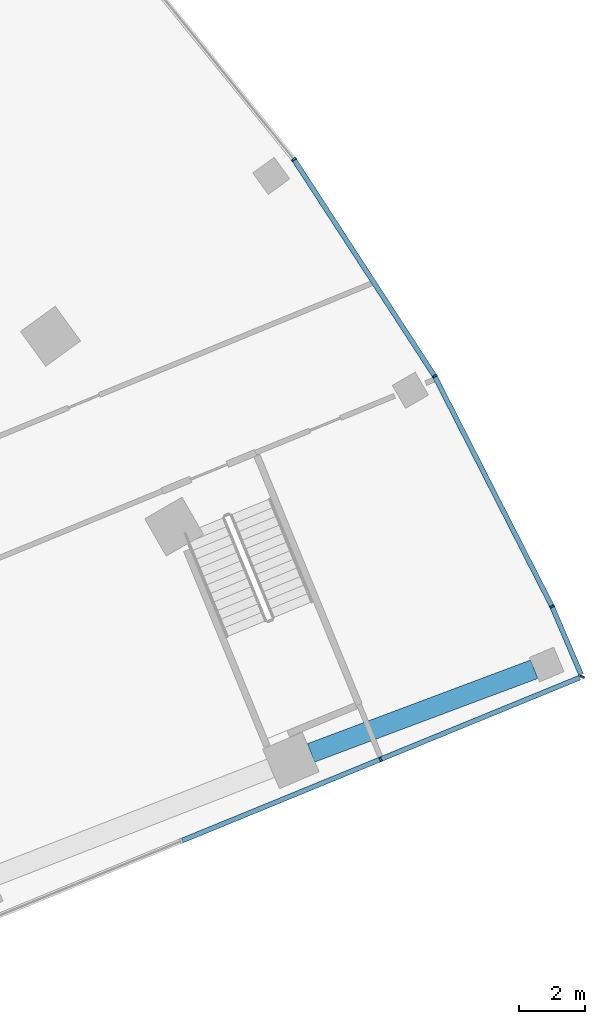
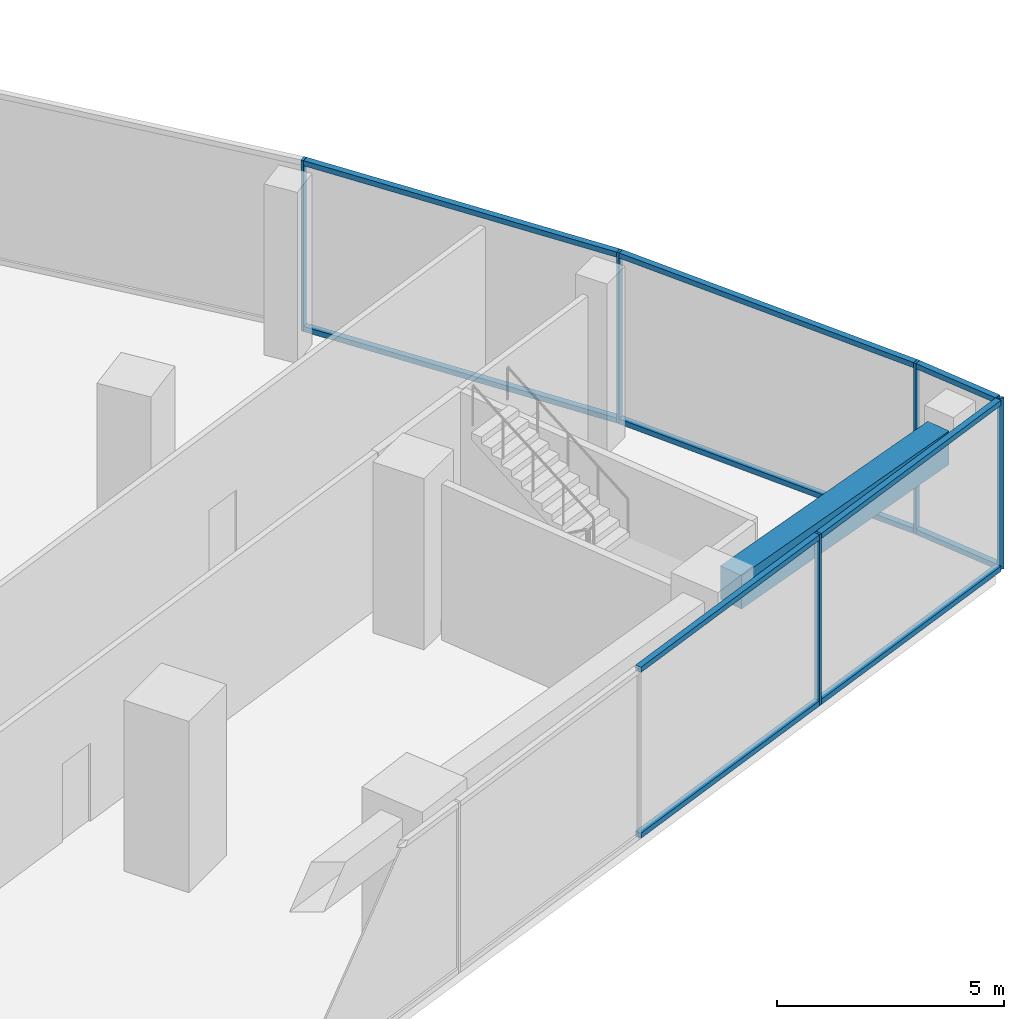
# One storey, part 15 of 40: 15 members, 1 beam, 2 elements without a shape of their own.
"""IFC4 building model written with IfcOpenShell, lengths in metres."""

import ifcopenshell
import ifcopenshell.guid

model = None  # the IFC model being written
_history = None  # IfcOwnerHistory: only IFC2X3 demands one
_inside = {}  # id of a spatial element -> (the spatial element, [elements in it])
_under = {}  # id of a project, library or spatial element -> (it, [spatial elements below it])
_declared = {}  # id of a project -> (the project, [libraries it declares])
_typed = {}  # id of a type object -> (the type object, [elements of that type])
_made_of = {}  # id of a material, layer set ... -> (it, [elements and type objects made of it])


def new_model(schema):
    """Start an empty IFC model of exactly this schema.

    Asked for "IFC4X3", IfcOpenShell would pick the latest addendum, in which some entities
    have other attributes; the version numbers below select the first issue.
    IFC2X3 requires an IfcOwnerHistory on every rooted entity: one is made here for all.
    """
    global model, _history
    if schema == "IFC4X3":
        model = ifcopenshell.file(schema_version=(4, 3, 0, 0))
    else:
        model = ifcopenshell.file(schema=schema)
    _inside.clear()
    _under.clear()
    _declared.clear()
    _typed.clear()
    _made_of.clear()
    _history = None
    if model.schema == "IFC2X3":
        org = make("IfcOrganization", Name="unknown")
        user = make(
            "IfcPersonAndOrganization",
            ThePerson=make("IfcPerson", FamilyName="unknown"),
            TheOrganization=org,
        )
        app = make(
            "IfcApplication",
            ApplicationDeveloper=org,
            Version="unknown",
            ApplicationFullName="unknown",
            ApplicationIdentifier="unknown",
        )
        _history = make(
            "IfcOwnerHistory",
            OwningUser=user,
            OwningApplication=app,
            ChangeAction="ADDED",
            CreationDate=0,
        )
    return model


def make(cls, **values):
    """One entity of the class cls with the attributes given. An attribute that is None is left unset."""
    return model.create_entity(
        cls, **{name: value for name, value in values.items() if value is not None}
    )


def rooted(cls, **values):
    """An entity with a GlobalId (a new one), such as an element, a storey or a relation."""
    return make(cls, GlobalId=ifcopenshell.guid.new(), OwnerHistory=_history, **values)


def si_unit(unit_type, name, prefix=None):
    """IfcSIUnit, for example si_unit("LENGTHUNIT", "METRE", prefix="MILLI")."""
    return make("IfcSIUnit", UnitType=unit_type, Prefix=prefix, Name=name)


def assignment(units):
    """IfcUnitAssignment: the units of a project."""
    return None if units is None else make("IfcUnitAssignment", Units=units)


def point(xyz):
    """IfcCartesianPoint."""
    return None if xyz is None else make("IfcCartesianPoint", Coordinates=xyz)


def direction(xyz):
    """IfcDirection."""
    return None if xyz is None else make("IfcDirection", DirectionRatios=xyz)


def frame(location, z_axis=None, x_axis=None):
    """IfcAxis2Placement3D, a coordinate frame: its origin and axes. An axis left out is left unset."""
    return make(
        "IfcAxis2Placement3D",
        Location=point(location),
        Axis=direction(z_axis),
        RefDirection=direction(x_axis),
    )


def frame_2d(location, x_axis=None):
    """IfcAxis2Placement2D, a coordinate frame in the plane: its origin and x axis."""
    return make(
        "IfcAxis2Placement2D", Location=point(location), RefDirection=direction(x_axis)
    )


def origin():
    """The frame at (0, 0, 0) with its axes left unset."""
    return frame((0.0, 0.0, 0.0))


def origin_2d():
    """The frame at (0, 0) in the plane with its x axis left unset."""
    return frame_2d((0.0, 0.0))


def place(relative_to, where):
    """IfcLocalPlacement: puts the frame where relative to a parent placement (None: the world)."""
    return make(
        "IfcLocalPlacement", PlacementRelTo=relative_to, RelativePlacement=where
    )


def context(
    kind, dimensions, precision=None, world=None, true_north=None, identifier=None
):
    """IfcGeometricRepresentationContext, for example the 3D "Model" context."""
    return make(
        "IfcGeometricRepresentationContext",
        ContextIdentifier=identifier,
        ContextType=kind,
        CoordinateSpaceDimension=dimensions,
        Precision=precision,
        WorldCoordinateSystem=world,
        TrueNorth=true_north,
    )


def subcontext(parent, identifier, kind, view, scale=None):
    """IfcGeometricRepresentationSubContext, for example "Body" below "Model"."""
    return make(
        "IfcGeometricRepresentationSubContext",
        ContextIdentifier=identifier,
        ContextType=kind,
        ParentContext=parent,
        TargetScale=scale,
        TargetView=view,
    )


def project(units=None, contexts=None):
    """IfcProject with its units and contexts."""
    return rooted(
        "IfcProject",
        Name="project",
        RepresentationContexts=contexts,
        UnitsInContext=assignment(units),
    )


def spatial(cls, under=None, at=None, **own):
    """A site, building, storey or space (cls), placed at a placement, below another one or the project."""
    s = rooted(cls, ObjectPlacement=at, **own)
    if under is not None:
        _under.setdefault(under.id(), (under, []))[1].append(s)
    return s


def profile(cls, at=None, kind="AREA", **sizes):
    """A parametric profile (cls). Its sizes go by their IFC names, for example OverallWidth=200.0."""
    return make(cls, ProfileType=kind, Position=at, **sizes)


def rectangle(**sizes):
    """IfcRectangleProfileDef."""
    return profile("IfcRectangleProfileDef", **sizes)


def extrude(swept, where, along, depth):
    """IfcExtrudedAreaSolid: the profile swept, set in the frame where, extruded along a direction by depth."""
    return make(
        "IfcExtrudedAreaSolid",
        SweptArea=swept,
        Position=where,
        ExtrudedDirection=direction(along),
        Depth=depth,
    )


def shape(context_of_items, identifier, shape_type, items):
    """IfcShapeRepresentation: the items that make up one representation, for example the "Body"."""
    return make(
        "IfcShapeRepresentation",
        ContextOfItems=context_of_items,
        RepresentationIdentifier=identifier,
        RepresentationType=shape_type,
        Items=items,
    )


def material(Name=None, Category=None):
    """IfcMaterial."""
    return make("IfcMaterial", Name=Name, Category=Category)


def layer(
    of_material, thickness, ventilated=None, Name=None, Category=None, Priority=None
):
    """IfcMaterialLayer: one layer of a wall or slab, of a material (None: an air gap)."""
    return make(
        "IfcMaterialLayer",
        Material=of_material,
        LayerThickness=thickness,
        IsVentilated=ventilated,
        Name=Name,
        Category=Category,
        Priority=Priority,
    )


def layer_set(layers, Name=None):
    """IfcMaterialLayerSet."""
    return make("IfcMaterialLayerSet", MaterialLayers=layers, LayerSetName=Name)


def material_profile(
    of_material, cross_section, Name=None, Category=None, Priority=None
):
    """IfcMaterialProfile: a cross section and its material."""
    return make(
        "IfcMaterialProfile",
        Name=Name,
        Material=of_material,
        Profile=cross_section,
        Priority=Priority,
        Category=Category,
    )


def profile_set(profiles, Name=None, composite=None):
    """IfcMaterialProfileSet."""
    return make(
        "IfcMaterialProfileSet",
        Name=Name,
        MaterialProfiles=profiles,
        CompositeProfile=composite,
    )


def made_of(thing, what):
    """Note that an element or type object is made of a material, layer set ...; save() writes the relation."""
    if what is not None:
        _made_of.setdefault(what.id(), (what, []))[1].append(thing)
    return thing


def type_object(cls, material=None, **own):
    """A type object (cls), such as IfcWallType, which elements share."""
    return made_of(rooted(cls, **own), material)


def element(
    cls,
    number,
    at=None,
    inside=None,
    cuts=None,
    type_object=None,
    material=None,
    context=None,
    identifier="Body",
    shape_type=None,
    held_by="IfcProductDefinitionShape",
    body=None,
    shapes=None,
    **own,
):
    """One element of the class cls, such as IfcWall. Its Tag is "e" and its number.

    at: its placement. inside: the storey or other place that contains it. cuts: it is an
    opening in that element (IfcRelVoidsElement). A single representation is given by context,
    identifier, shape_type and body (its items); several are given by shapes. held_by: the class
    of the entity that holds the representations. save() writes the other relations.
    """
    e = rooted(cls, Tag="e%d" % number, ObjectPlacement=at, **own)
    if body is not None:
        shapes = [shape(context, identifier, shape_type, body)]
    if shapes is not None:
        e.Representation = make(held_by, Representations=shapes)
    if inside is not None:
        _inside.setdefault(inside.id(), (inside, []))[1].append(e)
    if cuts is not None:
        rooted(
            "IfcRelVoidsElement", RelatingBuildingElement=cuts, RelatedOpeningElement=e
        )
    if type_object is not None:
        _typed.setdefault(type_object.id(), (type_object, []))[1].append(e)
    return made_of(e, material)


def aggregate(whole, parts):
    """IfcRelAggregates: a whole, such as a stair, and the parts it consists of."""
    return rooted("IfcRelAggregates", RelatingObject=whole, RelatedObjects=parts)


def save(model, path):
    """Write the relations noted so far, then the file.

    IfcRelAggregates (storeys below a building ...), IfcRelContainedInSpatialStructure (elements
    in a storey), IfcRelDefinesByType, IfcRelAssociatesMaterial and IfcRelDeclares: one each for
    every whole, place, type object, material and project.
    """
    for whole, parts in _under.values():
        aggregate(whole, parts)
    for where, things in _inside.values():
        rooted(
            "IfcRelContainedInSpatialStructure",
            RelatedElements=things,
            RelatingStructure=where,
        )
    for kind, things in _typed.values():
        rooted("IfcRelDefinesByType", RelatedObjects=things, RelatingType=kind)
    for what, things in _made_of.values():
        rooted("IfcRelAssociatesMaterial", RelatedObjects=things, RelatingMaterial=what)
    for by, libraries in _declared.values():
        rooted("IfcRelDeclares", RelatingContext=by, RelatedDefinitions=libraries)
    model.write(path)


model = new_model("IFC4")

# Units and contexts
model_context = context("Model", 3, precision=1e-05, world=origin(), true_north=direction((0.0, 1.0)))
body_context = subcontext(model_context, "Body", "Model", "MODEL_VIEW")
ifc_project = project(units=[si_unit("LENGTHUNIT", "METRE"), si_unit("AREAUNIT", "SQUARE_METRE"), si_unit("VOLUMEUNIT", "CUBIC_METRE"), si_unit("PLANEANGLEUNIT", "RADIAN"), si_unit("MASSUNIT", "GRAM", prefix="KILO")], contexts=[model_context])

# Site, building, storey
site_placement = place(None, origin())
site = spatial("IfcSite", under=ifc_project, at=site_placement, CompositionType="ELEMENT")
building_placement = place(site_placement, origin())
building = spatial("IfcBuilding", under=site, at=building_placement, Name="Stone Belt Terrace Tower", CompositionType="ELEMENT")
storey_placement = place(building_placement, frame((0.0, 0.0, 11.60009765625)))
storey = spatial("IfcBuildingStorey", under=building, at=storey_placement, Name="L02", CompositionType="ELEMENT", Elevation=11.60009765625)

# Curtain wall, member
ifc_material_1 = material(Name="Aluminium 6063-T6 anodised frame", Category="aluminium")
ifc_layer = layer(ifc_material_1, 0.14990234375)
ifc_layer_set = layer_set([ifc_layer], Name="CW-D podium shopfront")
curtain_wall_type = type_object("IfcCurtainWallType", Name="CW-D podium shopfront", PredefinedType="NOTDEFINED", material=ifc_layer_set)
curtain_wall_1_placement = place(storey_placement, origin())
curtain_wall_1 = element("IfcCurtainWall", 1, at=curtain_wall_1_placement, inside=storey, type_object=curtain_wall_type, Name="CW-D end face L02", PredefinedType="NOTDEFINED")
ifc_material_profile_1 = material_profile(ifc_material_1, rectangle(XDim=0.14990234375, YDim=0.06005859375, at=origin_2d()), Name="Aluminium 6063-T6 60x150")
ifc_profile_set_1 = profile_set([ifc_material_profile_1], Name="Aluminium 6063-T6 anodised frame")
member_type_1 = type_object("IfcMemberType", Name="CW-D mullion 60 x 150", PredefinedType="MULLION", material=ifc_profile_set_1)
member_1_placement = place(storey_placement, frame((62.94873046875, 25.71923828125, 0.0), z_axis=(0.0, 0.0, 1.0), x_axis=(-0.379243093825, 0.925297074342, 0.0)))
member_1 = element("IfcMember", 2, at=member_1_placement, type_object=member_type_1, Name="CW-D mullion 8", PredefinedType="MULLION", context=body_context, shape_type="SweptSolid", body=[
    extrude(rectangle(XDim=0.14990234375, YDim=0.06005859375, at=origin_2d()), origin(), (0.0, 0.0, 1.0), 4.599853515625),
])

# Curtain wall, members
curtain_wall_2_placement = place(storey_placement, origin())
curtain_wall_2 = element("IfcCurtainWall", 3, at=curtain_wall_2_placement, inside=storey, type_object=curtain_wall_type, Name="CW-D convex face L02", PredefinedType="NOTDEFINED")
member_2_placement = place(storey_placement, frame((69.033447265625, 28.213134765625, 0.0), z_axis=(0.0, 0.0, 1.0), x_axis=(-0.925309719849, 0.379212239192, 0.0)))
member_2 = element("IfcMember", 4, at=member_2_placement, type_object=member_type_1, Name="CW-D mullion 1", PredefinedType="MULLION", context=body_context, shape_type="SweptSolid", body=[
    extrude(rectangle(XDim=0.14990234375, YDim=0.06005859375, at=origin_2d()), origin(), (0.0, 0.0, 1.0), 4.599853515625),
])
member_3_placement = place(storey_placement, frame((68.127197265625, 30.333740234375, 0.0), z_axis=(0.0, 0.0, 1.0), x_axis=(-0.905778201442, -0.423752108895, 0.0)))
member_3 = element("IfcMember", 5, at=member_3_placement, type_object=member_type_1, Name="CW-D mullion 2", PredefinedType="MULLION", context=body_context, shape_type="SweptSolid", body=[
    extrude(rectangle(XDim=0.14990234375, YDim=0.06005859375, at=origin_2d()), origin(), (0.0, 0.0, 1.0), 4.599853515625),
])
member_4_placement = place(storey_placement, frame((64.583984375, 37.28759765625, 0.0), z_axis=(0.0, 0.0, 1.0), x_axis=(-0.866025403784, -0.5, 0.0)))
member_4 = element("IfcMember", 6, at=member_4_placement, type_object=member_type_1, Name="CW-D mullion 3", PredefinedType="MULLION", context=body_context, shape_type="SweptSolid", body=[
    extrude(rectangle(XDim=0.14990234375, YDim=0.06005859375, at=origin_2d()), origin(), (0.0, 0.0, 1.0), 4.599853515625),
])
member_5_placement = place(storey_placement, frame((60.33251953125, 43.834228515625, 0.0), z_axis=(0.0, 0.0, 1.0), x_axis=(-0.809016994375, -0.587785252292, 0.0)))
member_5 = element("IfcMember", 7, at=member_5_placement, type_object=member_type_1, Name="CW-D mullion 4", PredefinedType="MULLION", context=body_context, shape_type="SweptSolid", body=[
    extrude(rectangle(XDim=0.14990234375, YDim=0.06005859375, at=origin_2d()), origin(), (0.0, 0.0, 1.0), 4.599853515625),
])

# Member
ifc_material_profile_2 = material_profile(ifc_material_1, rectangle(XDim=0.14990234375, YDim=0.139892578125, at=origin_2d()), Name="Aluminium 6063-T6 150x140")
ifc_profile_set_2 = profile_set([ifc_material_profile_2], Name="Aluminium 6063-T6 anodised frame")
member_type_2 = type_object("IfcMemberType", Name="CW-D transom 140 x 150", PredefinedType="USERDEFINED", material=ifc_profile_set_2)
member_6_placement = place(storey_placement, frame((56.9619140625, 23.265380859375, 0.06982421875), z_axis=(0.925295543226, 0.3792468295, 0.0), x_axis=(-0.3792468295, 0.925295543226, 0.0)))
member_6 = element("IfcMember", 8, at=member_6_placement, type_object=member_type_2, Name="CW-D transom 7.1", ObjectType="TRANSOM", PredefinedType="USERDEFINED", context=body_context, shape_type="SweptSolid", body=[
    extrude(rectangle(XDim=0.14990234375, YDim=0.139892578125, at=origin_2d()), origin(), (0.0, 0.0, 1.0), 6.440185546875),
])

member_7_placement = place(storey_placement, frame((56.9619140625, 23.265380859375, 4.52978515625), z_axis=(0.925295543226, 0.3792468295, 0.0), x_axis=(-0.3792468295, 0.925295543226, 0.0)))
member_7 = element("IfcMember", 9, at=member_7_placement, type_object=member_type_2, Name="CW-D transom 7.2", ObjectType="TRANSOM", PredefinedType="USERDEFINED", context=body_context, shape_type="SweptSolid", body=[
    extrude(rectangle(XDim=0.14990234375, YDim=0.139892578125, at=origin_2d()), origin(), (0.0, 0.0, 1.0), 6.440185546875),
])

member_8_placement = place(storey_placement, frame((62.976318359375, 25.73046875, 0.06982421875), z_axis=(0.92529797733, 0.37924089066, 0.0), x_axis=(-0.37924089066, 0.92529797733, 0.0)))
member_8 = element("IfcMember", 10, at=member_8_placement, type_object=member_type_2, Name="CW-D transom 8.1", ObjectType="TRANSOM", PredefinedType="USERDEFINED", context=body_context, shape_type="SweptSolid", body=[
    extrude(rectangle(XDim=0.14990234375, YDim=0.139892578125, at=origin_2d()), origin(), (0.0, 0.0, 1.0), 6.4716796875),
])

member_9_placement = place(storey_placement, frame((62.976318359375, 25.73046875, 4.52978515625), z_axis=(0.92529797733, 0.37924089066, 0.0), x_axis=(-0.37924089066, 0.92529797733, 0.0)))
member_9 = element("IfcMember", 11, at=member_9_placement, type_object=member_type_2, Name="CW-D transom 8.2", ObjectType="TRANSOM", PredefinedType="USERDEFINED", context=body_context, shape_type="SweptSolid", body=[
    extrude(rectangle(XDim=0.14990234375, YDim=0.139892578125, at=origin_2d()), origin(), (0.0, 0.0, 1.0), 6.4716796875),
])

aggregate(curtain_wall_1, [member_1, member_6, member_7, member_8, member_9])

member_10_placement = place(storey_placement, frame((69.004150390625, 28.281494140625, 0.06982421875), z_axis=(-0.39299460879, 0.919540775312, 0.0), x_axis=(-0.919540775312, -0.39299460879, 0.0)))
member_10 = element("IfcMember", 12, at=member_10_placement, type_object=member_type_2, Name="CW-D transom 1.1", ObjectType="TRANSOM", PredefinedType="USERDEFINED", context=body_context, shape_type="SweptSolid", body=[
    extrude(rectangle(XDim=0.14990234375, YDim=0.139892578125, at=origin_2d()), origin(), (0.0, 0.0, 1.0), 2.19921875),
])

member_11_placement = place(storey_placement, frame((69.004150390625, 28.281494140625, 4.52978515625), z_axis=(-0.39299460879, 0.919540775312, 0.0), x_axis=(-0.919540775312, -0.39299460879, 0.0)))
member_11 = element("IfcMember", 13, at=member_11_placement, type_object=member_type_2, Name="CW-D transom 1.2", ObjectType="TRANSOM", PredefinedType="USERDEFINED", context=body_context, shape_type="SweptSolid", body=[
    extrude(rectangle(XDim=0.14990234375, YDim=0.139892578125, at=origin_2d()), origin(), (0.0, 0.0, 1.0), 2.19921875),
])

member_12_placement = place(storey_placement, frame((68.1123046875, 30.362548828125, 0.06982421875), z_axis=(-0.453977770034, 0.891013010183, 0.0), x_axis=(-0.891013010183, -0.453977770034, 0.0)))
member_12 = element("IfcMember", 14, at=member_12_placement, type_object=member_type_2, Name="CW-D transom 2.1", ObjectType="TRANSOM", PredefinedType="USERDEFINED", context=body_context, shape_type="SweptSolid", body=[
    extrude(rectangle(XDim=0.14990234375, YDim=0.139892578125, at=origin_2d()), origin(), (0.0, 0.0, 1.0), 7.738037109375),
])

member_13_placement = place(storey_placement, frame((68.1123046875, 30.362548828125, 4.52978515625), z_axis=(-0.453977770034, 0.891013010183, 0.0), x_axis=(-0.891013010183, -0.453977770034, 0.0)))
member_13 = element("IfcMember", 15, at=member_13_placement, type_object=member_type_2, Name="CW-D transom 2.2", ObjectType="TRANSOM", PredefinedType="USERDEFINED", context=body_context, shape_type="SweptSolid", body=[
    extrude(rectangle(XDim=0.14990234375, YDim=0.139892578125, at=origin_2d()), origin(), (0.0, 0.0, 1.0), 7.738037109375),
])

member_14_placement = place(storey_placement, frame((64.5654296875, 37.31591796875, 0.06982421875), z_axis=(-0.54462677088, 0.83867853224, 0.0), x_axis=(-0.83867853224, -0.54462677088, 0.0)))
member_14 = element("IfcMember", 16, at=member_14_placement, type_object=member_type_2, Name="CW-D transom 3.1", ObjectType="TRANSOM", PredefinedType="USERDEFINED", context=body_context, shape_type="SweptSolid", body=[
    extrude(rectangle(XDim=0.14990234375, YDim=0.139892578125, at=origin_2d()), origin(), (0.0, 0.0, 1.0), 7.738037109375),
])

member_15_placement = place(storey_placement, frame((64.5654296875, 37.31591796875, 4.52978515625), z_axis=(-0.54462677088, 0.83867853224, 0.0), x_axis=(-0.83867853224, -0.54462677088, 0.0)))
member_15 = element("IfcMember", 17, at=member_15_placement, type_object=member_type_2, Name="CW-D transom 3.2", ObjectType="TRANSOM", PredefinedType="USERDEFINED", context=body_context, shape_type="SweptSolid", body=[
    extrude(rectangle(XDim=0.14990234375, YDim=0.139892578125, at=origin_2d()), origin(), (0.0, 0.0, 1.0), 7.738037109375),
])

aggregate(curtain_wall_2, [member_2, member_3, member_4, member_5, member_10, member_11, member_12, member_13, member_14, member_15])

# Beam
ifc_material_2 = material(Name="Concrete B60", Category="concrete")
ifc_material_profile_3 = material_profile(ifc_material_2, rectangle(XDim=0.60009765625, YDim=0.89990234375, at=origin_2d()), Name="RC 600x900")
ifc_profile_set_3 = profile_set([ifc_material_profile_3], Name="Concrete B60")
beam_type = type_object("IfcBeamType", Name="Edge beam RC 600x900 B60", PredefinedType="SPANDREL", material=ifc_profile_set_3)
beam_placement = place(storey_placement, frame((60.85107421875, 25.913330078125, 3.75), z_axis=(0.936357063025, 0.351049071389, 0.0), x_axis=(-0.351049071389, 0.936357063025, 0.0)))
element("IfcBeam", 18, at=beam_placement, inside=storey, type_object=beam_type, Name="Edge beam L02 B R to S", PredefinedType="SPANDREL", context=body_context, shape_type="SweptSolid", body=[
    extrude(rectangle(XDim=0.60009765625, YDim=0.89990234375, at=origin_2d()), origin(), (0.0, 0.0, 1.0), 7.1953125),
])

save(model, "model.ifc")
